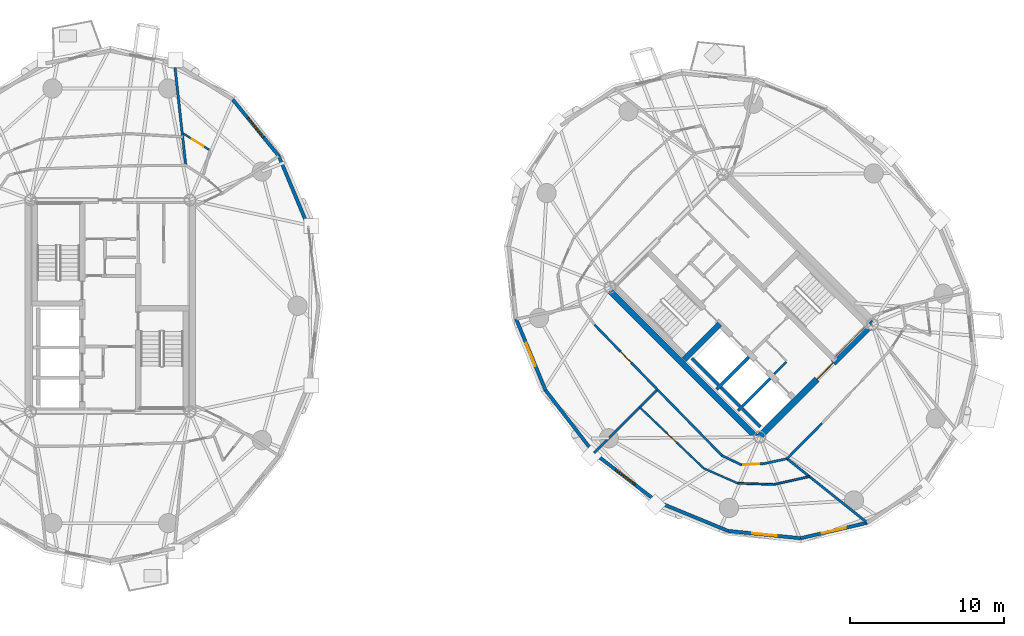
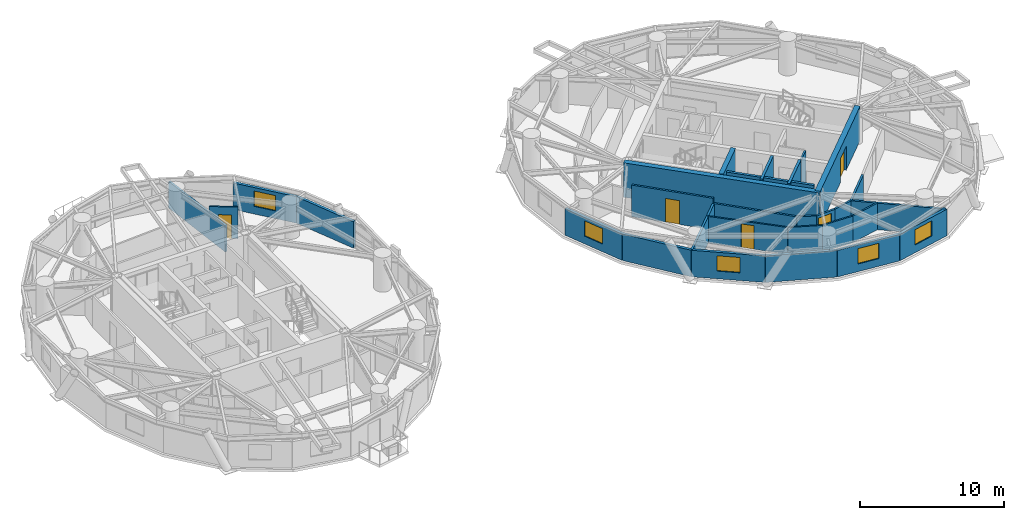
# One storey, part 12 of 18: 31 walls, 5 doors, 5 windows, 10 openings.
"""IFC4 building model written with IfcOpenShell, lengths in metres."""

from ifc_helpers import new_model, si_unit, direction, frame, frame_2d, origin, place, context, subcontext, project, spatial, rectangle, extrude, source, transform, mapped, material, layer, layer_set, type_object, element, fill, save


model = new_model("IFC4")

# Units and contexts
model_context = context("Model", 3, precision=1e-05, world=origin(), true_north=direction((0.0, 1.0)))
body_context = subcontext(model_context, "Body", "Model", "MODEL_VIEW")
ifc_project = project(units=[si_unit("LENGTHUNIT", "METRE"), si_unit("AREAUNIT", "SQUARE_METRE"), si_unit("VOLUMEUNIT", "CUBIC_METRE"), si_unit("PLANEANGLEUNIT", "RADIAN"), si_unit("MASSUNIT", "GRAM", prefix="KILO")], contexts=[model_context])

# Site, building, storey
site_placement = place(None, origin())
site = spatial("IfcSite", under=ifc_project, at=site_placement, CompositionType="ELEMENT")
building_placement = place(site_placement, origin())
building = spatial("IfcBuilding", under=site, at=building_placement, Name="Cununo Teusaquillo Station Towers", CompositionType="ELEMENT")
storey_placement = place(building_placement, frame((0.0, 0.0, 169.06005859375)))
storey = spatial("IfcBuildingStorey", under=building, at=storey_placement, Name="L53", CompositionType="ELEMENT", Elevation=169.06005859375)

# Walls
ifc_material_1 = material(Name="Concrete C50/60", Category="concrete")
ifc_layer_1 = layer(ifc_material_1, 0.199951171875)
ifc_layer_set_1 = layer_set([ifc_layer_1], Name="Concrete C50/60")
wall_type_1 = type_object("IfcWallType", Name="WL-CORE-200", PredefinedType="SHEAR", material=ifc_layer_set_1)
wall_1_placement = place(storey_placement, frame((55.8876953125, 19.0693359375, 0.0), z_axis=(0.0, 0.0, 1.0), x_axis=(0.707106781187, 0.707106781187, 0.0)))
element("IfcWall", 1, at=wall_1_placement, inside=storey, type_object=wall_type_1, Name="L53 Tower B Firefighting Lift Shaft South Shear Wall", PredefinedType="SHEAR", context=body_context, shape_type="SweptSolid", body=[
    extrude(rectangle(XDim=2.969970703125, YDim=0.199951171875, at=frame_2d((1.48486328125, 0.0))), origin(), (0.0, 0.0, 1.0), 2.909912109375),
])
wall_2_placement = place(storey_placement, frame((56.01513671875, 19.366455078125, 0.0), z_axis=(0.0, 0.0, 1.0), x_axis=(-0.707106781187, 0.707106781187, 0.0)))
element("IfcWall", 2, at=wall_2_placement, inside=storey, type_object=wall_type_1, Name="L53 Tower B Firefighting Lift Shaft Rear Shear Wall", PredefinedType="SHEAR", context=body_context, shape_type="SweptSolid", body=[
    extrude(rectangle(XDim=2.43994140625, YDim=0.199951171875, at=frame_2d((1.219970703125, 0.0))), origin(), (0.0, 0.0, 1.0), 2.909912109375),
])
wall_3_placement = place(storey_placement, frame((57.2841796875, 17.6728515625, 0.0), z_axis=(0.0, 0.0, 1.0), x_axis=(0.707147878904, 0.70706568108, 0.0)))
element("IfcWall", 3, at=wall_3_placement, inside=storey, type_object=wall_type_1, Name="L53 Tower B High-Rise Lift Hoistway Divider Shear Wall", PredefinedType="SHEAR", context=body_context, shape_type="SweptSolid", body=[
    extrude(rectangle(XDim=2.97021484375, YDim=0.199951171875, at=frame_2d((1.485107421875, 0.0))), origin(), (0.0, 0.0, 1.0), 2.909912109375),
])
wall_4_placement = place(storey_placement, frame((57.41162109375, 17.969970703125, 0.0), z_axis=(0.0, 0.0, 1.0), x_axis=(-0.707106781187, 0.707106781187, 0.0)))
element("IfcWall", 4, at=wall_4_placement, inside=storey, type_object=wall_type_1, Name="L53 Tower B High-Rise Lift 2 Shaft Rear Shear Wall", PredefinedType="SHEAR", context=body_context, shape_type="SweptSolid", body=[
    extrude(rectangle(XDim=1.73486328125, YDim=0.199951171875, at=frame_2d((0.867431640625, 0.0))), origin(), (0.0, 0.0, 1.0), 2.909912109375),
])
wall_5_placement = place(storey_placement, frame((58.7373046875, 16.64404296875, 0.0), z_axis=(0.0, 0.0, 1.0), x_axis=(-0.707032117043, 0.707181437447, 0.0)))
element("IfcWall", 5, at=wall_5_placement, inside=storey, type_object=wall_type_1, Name="L53 Tower B High-Rise Lift 1 Shaft Rear Shear Wall", PredefinedType="SHEAR", context=body_context, shape_type="SweptSolid", body=[
    extrude(rectangle(XDim=1.635009765625, YDim=0.199951171875, at=frame_2d((0.8173828125, 0.0))), origin(), (0.0, 0.0, 1.0), 2.909912109375),
])
ifc_material_2 = material(Name="Concrete C50/60", Category="concrete")
ifc_layer_2 = layer(ifc_material_2, 0.35009765625)
ifc_layer_set_2 = layer_set([ifc_layer_2], Name="Concrete C50/60")
wall_type_2 = type_object("IfcWallType", Name="WL-CORE-350", PredefinedType="SHEAR", material=ifc_layer_set_2)
wall_6_placement = place(storey_placement, frame((53.7841796875, 21.00341796875, 0.0), z_axis=(0.0, 0.0, 1.0), x_axis=(0.707106781187, 0.707106781187, 0.0)))
element("IfcWall", 6, at=wall_6_placement, inside=storey, type_object=wall_type_2, Name="L53 Tower B Core Shear Wall ST1S", PredefinedType="SHEAR", context=body_context, shape_type="SweptSolid", body=[
    extrude(rectangle(XDim=3.284912109375, YDim=0.35009765625, at=frame_2d((1.642578125, 0.0))), origin(), (0.0, 0.0, 1.0), 2.909912109375),
])
ifc_material_3 = material(Name="Concrete C50/60", Category="concrete")
ifc_layer_3 = layer(ifc_material_3, 0.39990234375)
ifc_layer_set_3 = layer_set([ifc_layer_3], Name="Concrete C50/60")
wall_type_3 = type_object("IfcWallType", Name="WL-CORE-400", PredefinedType="SHEAR", material=ifc_layer_set_3)
wall_7_placement = place(storey_placement, frame((58.7021484375, 15.73193359375, 0.0), z_axis=(0.0, 0.0, 1.0), x_axis=(-0.707106781187, 0.707106781187, 0.0)))
element("IfcWall", 7, at=wall_7_placement, inside=storey, type_object=wall_type_3, Name="L53 Tower B Core Shear Wall W", PredefinedType="SHEAR", context=body_context, shape_type="SweptSolid", body=[
    extrude(rectangle(XDim=14.10009765625, YDim=0.39990234375, at=frame_2d((7.050048828125, 0.0))), origin(), (0.0, 0.0, 1.0), 2.909912109375),
])

# Wall, opening, door
wall_8_placement = place(storey_placement, frame((58.560791015625, 15.873291015625, 0.0), z_axis=(0.0, 0.0, 1.0), x_axis=(0.707106781187, 0.707106781187, 0.0)))
wall_8 = element("IfcWall", 8, at=wall_8_placement, inside=storey, type_object=wall_type_3, Name="L53 Tower B Core Shear Wall S", PredefinedType="SHEAR", context=body_context, shape_type="SweptSolid", body=[
    extrude(rectangle(XDim=10.69970703125, YDim=0.39990234375, at=frame_2d((5.349853515625, 0.0))), origin(), (0.0, 0.0, 1.0), 2.909912109375),
])
shared_shape_1 = source(origin(), body_context, "Body", "SweptSolid", [
    extrude(rectangle(XDim=1.5, YDim=2.02001953125, at=frame_2d((0.75, 1.010009765625))), frame((0.0, 0.2099609375, 0.0), z_axis=(0.0, -1.0, 0.0), x_axis=(1.0, 0.0, 0.0)), (0.0, 0.0, 1.0), 0.419921875),
])
opening_1_placement = place(wall_8_placement, frame((5.449951171875, 0.0, 0.0)))
opening_1 = element("IfcOpeningElement", 9, at=opening_1_placement, cuts=wall_8, Name="Opening D-LB1", PredefinedType="OPENING", context=body_context, shape_type="MappedRepresentation", body=[
    mapped(shared_shape_1, transform((0.0, 0.0, 0.0), x_axis=(1.0, 0.0, 0.0), y_axis=(0.0, 1.0, 0.0), z_axis=(0.0, 0.0, 1.0), scale=1.0)),
])
ifc_material_4 = material(Name="Galvanised fire-rated hollow steel door assembly", Category="steel")
door_type_1 = type_object("IfcDoorType", Name="DR-LOBBY-1500", OperationType="DOUBLE_DOOR_SINGLE_SWING", PredefinedType="DOOR", material=ifc_material_4)
shared_shape_2 = source(origin(), body_context, "Body", "SweptSolid", [
    extrude(rectangle(XDim=1.5, YDim=2.02001953125, at=frame_2d((0.75, 1.010009765625))), frame((0.0, 0.02490234375, 0.0), z_axis=(0.0, -1.0, 0.0), x_axis=(1.0, 0.0, 0.0)), (0.0, 0.0, 1.0), 0.050048828125),
])
door_1_placement = place(opening_1_placement, origin())
door_1 = element("IfcDoor", 10, at=door_1_placement, inside=storey, type_object=door_type_1, Name="L53 Tower B South Core Lift Lobby Door", OperationType="DOUBLE_DOOR_SINGLE_SWING", OverallHeight=2.02001953125, OverallWidth=1.5, PredefinedType="DOOR", context=body_context, shape_type="MappedRepresentation", body=[
    mapped(shared_shape_2, transform((0.0, 0.0, 0.0), x_axis=(1.0, 0.0, 0.0), y_axis=(0.0, 1.0, 0.0), z_axis=(0.0, 0.0, 1.0), scale=1.0)),
])
fill(opening_1, door_1)

# Wall
ifc_material_5 = material(Name="Precast concrete C40/50", Category="concrete")
ifc_layer_4 = layer(ifc_material_5, 0.219970703125)
ifc_layer_set_4 = layer_set([ifc_layer_4], Name="Precast concrete C40/50")
wall_type_4 = type_object("IfcWallType", Name="WL-EXT-220", PredefinedType="SOLIDWALL", material=ifc_layer_set_4)
wall_9_placement = place(storey_placement, frame((27.44677734375, 34.239501953125, 0.0), z_axis=(0.0, 0.0, 1.0), x_axis=(0.384144094086, -0.923273152961, 0.0)))
element("IfcWall", 11, at=wall_9_placement, inside=storey, type_object=wall_type_4, Name="L53 Tower A Exterior Facade Wall C01", PredefinedType="SOLIDWALL", context=body_context, shape_type="SweptSolid", body=[
    extrude(rectangle(XDim=5.0029296875, YDim=0.219970703125, at=frame_2d((2.50146484375, 0.0))), origin(), (0.0, 0.0, 1.0), 2.244873046875),
])

# Wall, opening, window
wall_10_placement = place(storey_placement, frame((24.453369140625, 37.905517578125, 0.0), z_axis=(0.0, 0.0, 1.0), x_axis=(0.632470615287, -0.774584353572, 0.0)))
wall_10 = element("IfcWall", 12, at=wall_10_placement, inside=storey, type_object=wall_type_4, Name="L53 Tower A Exterior Facade Wall C02", PredefinedType="SOLIDWALL", context=body_context, shape_type="SweptSolid", body=[
    extrude(rectangle(XDim=4.73291015625, YDim=0.219970703125, at=frame_2d((2.366455078125, 0.0))), origin(), (0.0, 0.0, 1.0), 2.244873046875),
])
shared_shape_3 = source(origin(), body_context, "Body", "SweptSolid", [
    extrude(rectangle(XDim=1.60009765625, YDim=1.300048828125, at=frame_2d((0.800048828125, 0.64990234375))), frame((0.0, 0.119873046875, 0.0), z_axis=(0.0, -1.0, 0.0), x_axis=(1.0, 0.0, 0.0)), (0.0, 0.0, 1.0), 0.239990234375),
])
opening_2_placement = place(wall_10_placement, frame((1.56591796875, 0.0, 0.64990234375)))
opening_2 = element("IfcOpeningElement", 13, at=opening_2_placement, cuts=wall_10, Name="Opening WN-03", PredefinedType="OPENING", context=body_context, shape_type="MappedRepresentation", body=[
    mapped(shared_shape_3, transform((0.0, 0.0, 0.0), x_axis=(1.0, 0.0, 0.0), y_axis=(0.0, 1.0, 0.0), z_axis=(0.0, 0.0, 1.0), scale=1.0)),
])
ifc_material_6 = material(Name="Ceramic-fritted dark low-E double glazing", Category="glass")
window_type = type_object("IfcWindowType", Name="WIN-CORN-1600", PartitioningType="SINGLE_PANEL", PredefinedType="WINDOW", material=ifc_material_6)
shared_shape_4 = source(origin(), body_context, "Body", "SweptSolid", [
    extrude(rectangle(XDim=1.60009765625, YDim=1.300048828125, at=frame_2d((0.800048828125, 0.64990234375))), frame((0.0, 0.030029296875, 0.0), z_axis=(0.0, -1.0, 0.0), x_axis=(1.0, 0.0, 0.0)), (0.0, 0.0, 1.0), 0.06005859375),
])
window_1_placement = place(opening_2_placement, origin())
window_1 = element("IfcWindow", 14, at=window_1_placement, inside=storey, type_object=window_type, Name="L53 Tower A Facade Window C02", OverallHeight=1.300048828125, OverallWidth=1.60009765625, PartitioningType="SINGLE_PANEL", PredefinedType="WINDOW", context=body_context, shape_type="MappedRepresentation", body=[
    mapped(shared_shape_4, transform((0.0, 0.0, 0.0), x_axis=(1.0, 0.0, 0.0), y_axis=(0.0, 1.0, 0.0), z_axis=(0.0, 0.0, 1.0), scale=1.0)),
])
fill(opening_2, window_1)

wall_11_placement = place(storey_placement, frame((44.77978515625, 19.02099609375, 0.0), z_axis=(0.0, 0.0, 1.0), x_axis=(-0.381196434348, 0.924494066201, 0.0)))
wall_11 = element("IfcWall", 15, at=wall_11_placement, inside=storey, type_object=wall_type_4, Name="L53 Tower B Exterior Facade Wall C08", PredefinedType="SOLIDWALL", context=body_context, shape_type="SweptSolid", body=[
    extrude(rectangle(XDim=5.003173828125, YDim=0.219970703125, at=frame_2d((2.50146484375, 0.0))), origin(), (0.0, 0.0, 1.0), 2.244873046875),
])
opening_3_placement = place(wall_11_placement, frame((1.701904296875, 0.0, 0.64990234375)))
opening_3 = element("IfcOpeningElement", 16, at=opening_3_placement, cuts=wall_11, Name="Opening WN-03", PredefinedType="OPENING", context=body_context, shape_type="MappedRepresentation", body=[
    mapped(shared_shape_3, transform((0.0, 0.0, 0.0), x_axis=(1.0, 0.0, 0.0), y_axis=(0.0, 1.0, 0.0), z_axis=(0.0, 0.0, 1.0), scale=1.0)),
])
window_2_placement = place(opening_3_placement, origin())
window_2 = element("IfcWindow", 17, at=window_2_placement, inside=storey, type_object=window_type, Name="L53 Tower B Facade Window C08", OverallHeight=1.300048828125, OverallWidth=1.60009765625, PartitioningType="SINGLE_PANEL", PredefinedType="WINDOW", context=body_context, shape_type="MappedRepresentation", body=[
    mapped(shared_shape_4, transform((0.0, 0.0, 0.0), x_axis=(1.0, 0.0, 0.0), y_axis=(0.0, 1.0, 0.0), z_axis=(0.0, 0.0, 1.0), scale=1.0)),
])
fill(opening_3, window_2)

# Wall
wall_12_placement = place(storey_placement, frame((47.93212890625, 14.93212890625, 0.0), z_axis=(0.0, 0.0, 1.0), x_axis=(-0.610569654715, 0.791962560189, 0.0)))
element("IfcWall", 18, at=wall_12_placement, inside=storey, type_object=wall_type_4, Name="L53 Tower B Exterior Facade Wall C09", PredefinedType="SOLIDWALL", context=body_context, shape_type="SweptSolid", body=[
    extrude(rectangle(XDim=5.162841796875, YDim=0.219970703125, at=frame_2d((2.58154296875, 0.0))), origin(), (0.0, 0.0, 1.0), 2.244873046875),
])

# Wall, opening, window
wall_13_placement = place(storey_placement, frame((52.02099609375, 11.77978515625, 0.0), z_axis=(0.0, 0.0, 1.0), x_axis=(-0.791962560189, 0.610569654715, 0.0)))
wall_13 = element("IfcWall", 19, at=wall_13_placement, inside=storey, type_object=wall_type_4, Name="L53 Tower B Exterior Facade Wall C10", PredefinedType="SOLIDWALL", context=body_context, shape_type="SweptSolid", body=[
    extrude(rectangle(XDim=5.162841796875, YDim=0.219970703125, at=frame_2d((2.58154296875, 0.0))), origin(), (0.0, 0.0, 1.0), 2.244873046875),
])
opening_4_placement = place(wall_13_placement, frame((1.781982421875, 0.0, 0.64990234375)))
opening_4 = element("IfcOpeningElement", 20, at=opening_4_placement, cuts=wall_13, Name="Opening WN-03", PredefinedType="OPENING", context=body_context, shape_type="MappedRepresentation", body=[
    mapped(shared_shape_3, transform((0.0, 0.0, 0.0), x_axis=(1.0, 0.0, 0.0), y_axis=(0.0, 1.0, 0.0), z_axis=(0.0, 0.0, 1.0), scale=1.0)),
])
window_3_placement = place(opening_4_placement, origin())
window_3 = element("IfcWindow", 21, at=window_3_placement, inside=storey, type_object=window_type, Name="L53 Tower B Facade Window C10", OverallHeight=1.300048828125, OverallWidth=1.60009765625, PartitioningType="SINGLE_PANEL", PredefinedType="WINDOW", context=body_context, shape_type="MappedRepresentation", body=[
    mapped(shared_shape_4, transform((0.0, 0.0, 0.0), x_axis=(1.0, 0.0, 0.0), y_axis=(0.0, 1.0, 0.0), z_axis=(0.0, 0.0, 1.0), scale=1.0)),
])
fill(opening_4, window_3)

# Wall
wall_14_placement = place(storey_placement, frame((56.646484375, 9.87255859375, 0.0), z_axis=(0.0, 0.0, 1.0), x_axis=(-0.924494066201, 0.381196434348, 0.0)))
element("IfcWall", 22, at=wall_14_placement, inside=storey, type_object=wall_type_4, Name="L53 Tower B Exterior Facade Wall C11", PredefinedType="SOLIDWALL", context=body_context, shape_type="SweptSolid", body=[
    extrude(rectangle(XDim=5.003173828125, YDim=0.219970703125, at=frame_2d((2.50146484375, 0.0))), origin(), (0.0, 0.0, 1.0), 2.244873046875),
])

# Wall, opening, window
wall_15_placement = place(storey_placement, frame((61.355224609375, 9.397216796875, 0.0), z_axis=(0.0, 0.0, 1.0), x_axis=(-0.994943283129, 0.100438356004, 0.0)))
wall_15 = element("IfcWall", 23, at=wall_15_placement, inside=storey, type_object=wall_type_4, Name="L53 Tower B Exterior Facade Wall C12", PredefinedType="SOLIDWALL", context=body_context, shape_type="SweptSolid", body=[
    extrude(rectangle(XDim=4.732666015625, YDim=0.219970703125, at=frame_2d((2.3662109375, 0.0))), origin(), (0.0, 0.0, 1.0), 2.244873046875),
])
opening_5_placement = place(wall_15_placement, frame((1.56591796875, 0.0, 0.64990234375)))
opening_5 = element("IfcOpeningElement", 24, at=opening_5_placement, cuts=wall_15, Name="Opening WN-03", PredefinedType="OPENING", context=body_context, shape_type="MappedRepresentation", body=[
    mapped(shared_shape_3, transform((0.0, 0.0, 0.0), x_axis=(1.0, 0.0, 0.0), y_axis=(0.0, 1.0, 0.0), z_axis=(0.0, 0.0, 1.0), scale=1.0)),
])
window_4_placement = place(opening_5_placement, origin())
window_4 = element("IfcWindow", 25, at=window_4_placement, inside=storey, type_object=window_type, Name="L53 Tower B Facade Window C12", OverallHeight=1.300048828125, OverallWidth=1.60009765625, PartitioningType="SINGLE_PANEL", PredefinedType="WINDOW", context=body_context, shape_type="MappedRepresentation", body=[
    mapped(shared_shape_4, transform((0.0, 0.0, 0.0), x_axis=(1.0, 0.0, 0.0), y_axis=(0.0, 1.0, 0.0), z_axis=(0.0, 0.0, 1.0), scale=1.0)),
])
fill(opening_5, window_4)

wall_16_placement = place(storey_placement, frame((65.686767578125, 10.400146484375, 0.0), z_axis=(0.0, 0.0, 1.0), x_axis=(-0.97422620202, -0.22557328587, 0.0)))
wall_16 = element("IfcWall", 26, at=wall_16_placement, inside=storey, type_object=wall_type_4, Name="L53 Tower B Exterior Facade Wall C13", PredefinedType="SOLIDWALL", context=body_context, shape_type="SweptSolid", body=[
    extrude(rectangle(XDim=4.446044921875, YDim=0.219970703125, at=frame_2d((2.22314453125, 0.0))), origin(), (0.0, 0.0, 1.0), 2.244873046875),
])
opening_6_placement = place(wall_16_placement, frame((1.423095703125, 0.0, 0.64990234375)))
opening_6 = element("IfcOpeningElement", 27, at=opening_6_placement, cuts=wall_16, Name="Opening WN-03", PredefinedType="OPENING", context=body_context, shape_type="MappedRepresentation", body=[
    mapped(shared_shape_3, transform((0.0, 0.0, 0.0), x_axis=(1.0, 0.0, 0.0), y_axis=(0.0, 1.0, 0.0), z_axis=(0.0, 0.0, 1.0), scale=1.0)),
])
window_5_placement = place(opening_6_placement, origin())
window_5 = element("IfcWindow", 28, at=window_5_placement, inside=storey, type_object=window_type, Name="L53 Tower B Facade Window C13", OverallHeight=1.300048828125, OverallWidth=1.60009765625, PartitioningType="SINGLE_PANEL", PredefinedType="WINDOW", context=body_context, shape_type="MappedRepresentation", body=[
    mapped(shared_shape_4, transform((0.0, 0.0, 0.0), x_axis=(1.0, 0.0, 0.0), y_axis=(0.0, 1.0, 0.0), z_axis=(0.0, 0.0, 1.0), scale=1.0)),
])
fill(opening_6, window_5)

# Wall, opening, door
ifc_material_7 = material(Name="Fire-rated gypsum plasterboard partition assembly", Category="gypsum")
ifc_layer_5 = layer(ifc_material_7, 0.125)
ifc_layer_set_5 = layer_set([ifc_layer_5], Name="Fire-rated gypsum plasterboard partition assembly")
wall_type_5 = type_object("IfcWallType", Name="WL-PART-125", PredefinedType="PARTITIONING", material=ifc_layer_set_5)
wall_17_placement = place(storey_placement, frame((22.922119140625, 34.639892578125, 0.0), z_axis=(0.0, 0.0, 1.0), x_axis=(-0.846020986113, 0.533149595382, 0.0)))
wall_17 = element("IfcWall", 29, at=wall_17_placement, inside=storey, type_object=wall_type_5, Name="L53 Tower A S01 En-suite Back Wall", PredefinedType="PARTITIONING", context=body_context, shape_type="SweptSolid", body=[
    extrude(rectangle(XDim=1.98291015625, YDim=0.125, at=frame_2d((0.991455078125, 0.0))), origin(), (0.0, 0.0, 1.0), 2.675048828125),
])
shared_shape_5 = source(origin(), body_context, "Body", "SweptSolid", [
    extrude(rectangle(XDim=0.89990234375, YDim=2.0048828125, at=frame_2d((0.449951171875, 1.00244140625))), frame((0.0, 0.072509765625, 0.0), z_axis=(0.0, -1.0, 0.0), x_axis=(1.0, 0.0, 0.0)), (0.0, 0.0, 1.0), 0.14501953125),
])
opening_7_placement = place(wall_17_placement, frame((0.43603515625, 0.0, 0.0)))
opening_7 = element("IfcOpeningElement", 30, at=opening_7_placement, cuts=wall_17, Name="Opening D-IN1", PredefinedType="OPENING", context=body_context, shape_type="MappedRepresentation", body=[
    mapped(shared_shape_5, transform((0.0, 0.0, 0.0), x_axis=(1.0, 0.0, 0.0), y_axis=(0.0, 1.0, 0.0), z_axis=(0.0, 0.0, 1.0), scale=1.0)),
])
ifc_material_8 = material(Name="Acoustic solid-core hardwood leaf assembly", Category="wood")
door_type_2 = type_object("IfcDoorType", Name="DR-INT-900", OperationType="NOTDEFINED", PredefinedType="DOOR", material=ifc_material_8)
shared_shape_6 = source(origin(), body_context, "Body", "SweptSolid", [
    extrude(rectangle(XDim=0.89990234375, YDim=2.0048828125, at=frame_2d((0.449951171875, 1.00244140625))), frame((0.0, 0.02490234375, 0.0), z_axis=(0.0, -1.0, 0.0), x_axis=(1.0, 0.0, 0.0)), (0.0, 0.0, 1.0), 0.050048828125),
])
door_2_placement = place(opening_7_placement, origin())
door_2 = element("IfcDoor", 31, at=door_2_placement, inside=storey, type_object=door_type_2, Name="L53 Tower A S01 En-suite Bathroom Door", OperationType="SINGLE_SWING_RIGHT", OverallHeight=2.0048828125, OverallWidth=0.89990234375, PredefinedType="DOOR", context=body_context, shape_type="MappedRepresentation", body=[
    mapped(shared_shape_6, transform((0.0, 0.0, 0.0), x_axis=(1.0, 0.0, 0.0), y_axis=(0.0, 1.0, 0.0), z_axis=(0.0, 0.0, 1.0), scale=1.0)),
])
fill(opening_7, door_2)

# Wall
wall_18_placement = place(storey_placement, frame((59.642578125, 20.06640625, 0.0), z_axis=(0.0, 0.0, 1.0), x_axis=(0.707106781187, 0.707106781187, 0.0)))
element("IfcWall", 32, at=wall_18_placement, inside=storey, type_object=wall_type_5, Name="L53 Tower B North-West Lobby Store South Wall", PredefinedType="PARTITIONING", context=body_context, shape_type="SweptSolid", body=[
    extrude(rectangle(XDim=1.10009765625, YDim=0.125, at=frame_2d((0.550048828125, 0.0))), origin(), (0.0, 0.0, 1.0), 2.675048828125),
])

# Wall, opening, door
wall_19_placement = place(storey_placement, frame((50.90478515625, 17.90478515625, 0.0), z_axis=(0.0, 0.0, 1.0), x_axis=(0.723816902075, -0.689992095803, 0.0)))
wall_19 = element("IfcWall", 33, at=wall_19_placement, inside=storey, type_object=wall_type_5, Name="L53 Tower B Grand Cordillera Club Salon Concentric Partition Wall C10", PredefinedType="PARTITIONING", context=body_context, shape_type="SweptSolid", body=[
    extrude(rectangle(XDim=5.752685546875, YDim=0.125, at=frame_2d((2.87646484375, 0.0))), origin(), (0.0, 0.0, 1.0), 2.244873046875),
])
opening_8_placement = place(wall_19_placement, frame((2.42626953125, 0.0, 0.0)))
opening_8 = element("IfcOpeningElement", 34, at=opening_8_placement, cuts=wall_19, Name="Opening D-IN1", PredefinedType="OPENING", context=body_context, shape_type="MappedRepresentation", body=[
    mapped(shared_shape_5, transform((0.0, 0.0, 0.0), x_axis=(1.0, 0.0, 0.0), y_axis=(0.0, 1.0, 0.0), z_axis=(0.0, 0.0, 1.0), scale=1.0)),
])
door_3_placement = place(opening_8_placement, origin())
door_3 = element("IfcDoor", 35, at=door_3_placement, inside=storey, type_object=door_type_2, Name="L53 Tower B Grand Cordillera Club Salon Connecting Door", OperationType="SINGLE_SWING_RIGHT", OverallHeight=2.0048828125, OverallWidth=0.89990234375, PredefinedType="DOOR", context=body_context, shape_type="MappedRepresentation", body=[
    mapped(shared_shape_6, transform((0.0, 0.0, 0.0), x_axis=(1.0, 0.0, 0.0), y_axis=(0.0, 1.0, 0.0), z_axis=(0.0, 0.0, 1.0), scale=1.0)),
])
fill(opening_8, door_3)

# Walls
wall_20_placement = place(storey_placement, frame((55.068603515625, 13.935546875, 0.0), z_axis=(0.0, 0.0, 1.0), x_axis=(0.915625735972, -0.402031729626, 0.0)))
element("IfcWall", 36, at=wall_20_placement, inside=storey, type_object=wall_type_5, Name="L53 Tower B Grand Cordillera Club Salon Concentric Partition Wall C11", PredefinedType="PARTITIONING", context=body_context, shape_type="SweptSolid", body=[
    extrude(rectangle(XDim=2.396240234375, YDim=0.125, at=frame_2d((1.1982421875, 0.0))), origin(), (0.0, 0.0, 1.0), 2.244873046875),
])
wall_21_placement = place(storey_placement, frame((57.2626953125, 12.97216796875, 0.0), z_axis=(0.0, 0.0, 1.0), x_axis=(0.999399614086, -0.034646953192, 0.0)))
element("IfcWall", 37, at=wall_21_placement, inside=storey, type_object=wall_type_5, Name="L53 Tower B Grand Cordillera Club Salon Concentric Partition Wall C12", PredefinedType="PARTITIONING", context=body_context, shape_type="SweptSolid", body=[
    extrude(rectangle(XDim=2.36767578125, YDim=0.125, at=frame_2d((1.183837890625, 0.0))), origin(), (0.0, 0.0, 1.0), 2.244873046875),
])
wall_22_placement = place(storey_placement, frame((59.62890625, 12.89013671875, 0.0), z_axis=(0.0, 0.0, 1.0), x_axis=(0.97566344203, 0.219273454585, 0.0)))
element("IfcWall", 38, at=wall_22_placement, inside=storey, type_object=wall_type_5, Name="L53 Tower B Grand Cordillera Club Salon Concentric Partition Wall C13", PredefinedType="PARTITIONING", context=body_context, shape_type="SweptSolid", body=[
    extrude(rectangle(XDim=2.3603515625, YDim=0.125, at=frame_2d((1.18017578125, 0.0))), origin(), (0.0, 0.0, 1.0), 2.244873046875),
])

# Wall, opening, door
ifc_material_9 = material(Name="Fire-rated gypsum plasterboard partition assembly", Category="gypsum")
ifc_layer_6 = layer(ifc_material_9, 0.14990234375)
ifc_layer_set_6 = layer_set([ifc_layer_6], Name="Fire-rated gypsum plasterboard partition assembly")
wall_type_6 = type_object("IfcWallType", Name="WL-PART-150", PredefinedType="PARTITIONING", material=ifc_layer_set_6)
wall_23_placement = place(storey_placement, frame((47.958984375, 23.276611328125, 0.0), z_axis=(0.0, 0.0, 1.0), x_axis=(0.696422573496, -0.717631938479, 0.0)))
wall_23 = element("IfcWall", 39, at=wall_23_placement, inside=storey, type_object=wall_type_6, Name="L53 Tower B Corridor Ring Wall C09", PredefinedType="PARTITIONING", context=body_context, shape_type="SweptSolid", body=[
    extrude(rectangle(XDim=5.882080078125, YDim=0.14990234375, at=frame_2d((2.94091796875, 0.0))), origin(), (0.0, 0.0, 1.0), 2.675048828125),
])
shared_shape_7 = source(origin(), body_context, "Body", "SweptSolid", [
    extrude(rectangle(XDim=1.0, YDim=2.014892578125, at=frame_2d((0.5, 1.00732421875))), frame((0.0, 0.0849609375, 0.0), z_axis=(0.0, -1.0, 0.0), x_axis=(1.0, 0.0, 0.0)), (0.0, 0.0, 1.0), 0.169921875),
])
opening_9_placement = place(wall_23_placement, frame((2.44091796875, 0.0, 0.0)))
opening_9 = element("IfcOpeningElement", 40, at=opening_9_placement, cuts=wall_23, Name="Opening D-AC1", PredefinedType="OPENING", context=body_context, shape_type="MappedRepresentation", body=[
    mapped(shared_shape_7, transform((0.0, 0.0, 0.0), x_axis=(1.0, 0.0, 0.0), y_axis=(0.0, 1.0, 0.0), z_axis=(0.0, 0.0, 1.0), scale=1.0)),
])
ifc_material_10 = material(Name="Acoustic solid-core hardwood leaf assembly", Category="wood")
door_type_3 = type_object("IfcDoorType", Name="DR-ACC-1000", OperationType="NOTDEFINED", PredefinedType="DOOR", material=ifc_material_10)
shared_shape_8 = source(origin(), body_context, "Body", "SweptSolid", [
    extrude(rectangle(XDim=1.0, YDim=2.014892578125, at=frame_2d((0.5, 1.00732421875))), frame((0.0, 0.02490234375, 0.0), z_axis=(0.0, -1.0, 0.0), x_axis=(1.0, 0.0, 0.0)), (0.0, 0.0, 1.0), 0.050048828125),
])
door_4_placement = place(opening_9_placement, origin())
door_4 = element("IfcDoor", 41, at=door_4_placement, inside=storey, type_object=door_type_3, Name="L53 Tower B Public Accessible Restroom WC Entrance Door", OperationType="SINGLE_SWING_RIGHT", OverallHeight=2.014892578125, OverallWidth=1.0, PredefinedType="DOOR", context=body_context, shape_type="MappedRepresentation", body=[
    mapped(shared_shape_8, transform((0.0, 0.0, 0.0), x_axis=(1.0, 0.0, 0.0), y_axis=(0.0, 1.0, 0.0), z_axis=(0.0, 0.0, 1.0), scale=1.0)),
])
fill(opening_9, door_4)

# Walls
wall_24_placement = place(storey_placement, frame((52.055419921875, 19.055419921875, 0.0), z_axis=(0.0, 0.0, 1.0), x_axis=(0.699249850691, -0.714877364524, 0.0)))
element("IfcWall", 42, at=wall_24_placement, inside=storey, type_object=wall_type_6, Name="L53 Tower B Corridor Ring Wall C10", PredefinedType="PARTITIONING", context=body_context, shape_type="SweptSolid", body=[
    extrude(rectangle(XDim=5.9990234375, YDim=0.14990234375, at=frame_2d((2.99951171875, 0.0))), origin(), (0.0, 0.0, 1.0), 2.244873046875),
])
wall_25_placement = place(storey_placement, frame((56.250244140625, 14.766845703125, 0.0), z_axis=(0.0, 0.0, 1.0), x_axis=(0.902518380752, -0.430651335078, 0.0)))
element("IfcWall", 43, at=wall_25_placement, inside=storey, type_object=wall_type_6, Name="L53 Tower B Corridor Ring Wall C11", PredefinedType="PARTITIONING", context=body_context, shape_type="SweptSolid", body=[
    extrude(rectangle(XDim=1.385986328125, YDim=0.14990234375, at=frame_2d((0.69287109375, 0.0))), origin(), (0.0, 0.0, 1.0), 2.244873046875),
])

# Wall, opening, door
wall_26_placement = place(storey_placement, frame((57.501220703125, 14.169921875, 0.0), z_axis=(0.0, 0.0, 1.0), x_axis=(0.998814137693, 0.048685915254, 0.0)))
wall_26 = element("IfcWall", 44, at=wall_26_placement, inside=storey, type_object=wall_type_6, Name="L53 Tower B Corridor Ring Wall C12", PredefinedType="PARTITIONING", context=body_context, shape_type="SweptSolid", body=[
    extrude(rectangle(XDim=1.459228515625, YDim=0.14990234375, at=frame_2d((0.7294921875, 0.0))), origin(), (0.0, 0.0, 1.0), 2.244873046875),
])
shared_shape_9 = source(origin(), body_context, "Body", "SweptSolid", [
    extrude(rectangle(XDim=1.050048828125, YDim=2.014892578125, at=frame_2d((0.52490234375, 1.00732421875))), frame((0.0, 0.0849609375, 0.0), z_axis=(0.0, -1.0, 0.0), x_axis=(1.0, 0.0, 0.0)), (0.0, 0.0, 1.0), 0.169921875),
])
opening_10_placement = place(wall_26_placement, frame((0.1201171875, 0.0, 0.0)))
opening_10 = element("IfcOpeningElement", 45, at=opening_10_placement, cuts=wall_26, Name="Opening D-SU1", PredefinedType="OPENING", context=body_context, shape_type="MappedRepresentation", body=[
    mapped(shared_shape_9, transform((0.0, 0.0, 0.0), x_axis=(1.0, 0.0, 0.0), y_axis=(0.0, 1.0, 0.0), z_axis=(0.0, 0.0, 1.0), scale=1.0)),
])
ifc_material_11 = material(Name="Acoustic solid-core hardwood leaf assembly", Category="wood")
door_type_4 = type_object("IfcDoorType", Name="DR-SUITE-1050", OperationType="NOTDEFINED", PredefinedType="DOOR", material=ifc_material_11)
shared_shape_10 = source(origin(), body_context, "Body", "SweptSolid", [
    extrude(rectangle(XDim=1.050048828125, YDim=2.014892578125, at=frame_2d((0.52490234375, 1.00732421875))), frame((0.0, 0.02490234375, 0.0), z_axis=(0.0, -1.0, 0.0), x_axis=(1.0, 0.0, 0.0)), (0.0, 0.0, 1.0), 0.050048828125),
])
door_5_placement = place(opening_10_placement, origin())
door_5 = element("IfcDoor", 46, at=door_5_placement, inside=storey, type_object=door_type_4, Name="L53 Tower B Grand Cordillera Club Salon Entrance Door", OperationType="SINGLE_SWING_LEFT", OverallHeight=2.014892578125, OverallWidth=1.050048828125, PredefinedType="DOOR", context=body_context, shape_type="MappedRepresentation", body=[
    mapped(shared_shape_10, transform((0.0, 0.0, 0.0), x_axis=(1.0, 0.0, 0.0), y_axis=(0.0, 1.0, 0.0), z_axis=(0.0, 0.0, 1.0), scale=1.0)),
])
fill(opening_10, door_5)

# Walls
wall_27_placement = place(storey_placement, frame((58.958740234375, 14.240966796875, 0.0), z_axis=(0.0, 0.0, 1.0), x_axis=(0.977216106897, 0.212246744196, 0.0)))
element("IfcWall", 47, at=wall_27_placement, inside=storey, type_object=wall_type_6, Name="L53 Tower B Corridor Ring Wall C13", PredefinedType="PARTITIONING", context=body_context, shape_type="SweptSolid", body=[
    extrude(rectangle(XDim=1.5517578125, YDim=0.14990234375, at=frame_2d((0.77587890625, 0.0))), origin(), (0.0, 0.0, 1.0), 2.244873046875),
])
wall_28_placement = place(storey_placement, frame((60.47509765625, 14.5703125, 0.0), z_axis=(0.0, 0.0, 1.0), x_axis=(0.703709284374, 0.710488031628, 0.0)))
element("IfcWall", 48, at=wall_28_placement, inside=storey, type_object=wall_type_6, Name="L53 Tower B Corridor Ring Wall C14", PredefinedType="PARTITIONING", context=body_context, shape_type="SweptSolid", body=[
    extrude(rectangle(XDim=3.241455078125, YDim=0.14990234375, at=frame_2d((1.62060546875, 0.0))), origin(), (0.0, 0.0, 1.0), 2.244873046875),
])
ifc_material_12 = material(Name="Fire-rated gypsum plasterboard partition assembly", Category="gypsum")
ifc_layer_7 = layer(ifc_material_12, 0.159912109375)
ifc_layer_set_7 = layer_set([ifc_layer_7], Name="Fire-rated gypsum plasterboard partition assembly")
wall_type_7 = type_object("IfcWallType", Name="WL-PART-160", PredefinedType="PARTITIONING", material=ifc_layer_set_7)
wall_29_placement = place(storey_placement, frame((21.404541015625, 33.627197265625, 0.0), z_axis=(0.0, 0.0, 1.0), x_axis=(-0.109650118052, 0.993970246844, 0.0)))
element("IfcWall", 49, at=wall_29_placement, inside=storey, type_object=wall_type_7, Name="L53 Tower A Radial Suite Partition R02", PredefinedType="PARTITIONING", context=body_context, shape_type="SweptSolid", body=[
    extrude(rectangle(XDim=6.65283203125, YDim=0.159912109375, at=frame_2d((3.326416015625, 0.0))), origin(), (0.0, 0.0, 1.0), 2.244873046875),
])
wall_30_placement = place(storey_placement, frame((52.055419921875, 19.055419921875, 0.0), z_axis=(0.0, 0.0, 1.0), x_axis=(-0.707106781187, -0.707106781187, 0.0)))
element("IfcWall", 50, at=wall_30_placement, inside=storey, type_object=wall_type_7, Name="L53 Tower B Radial Suite Partition R04", PredefinedType="PARTITIONING", context=body_context, shape_type="SweptSolid", body=[
    extrude(rectangle(XDim=5.811279296875, YDim=0.159912109375, at=frame_2d((2.90576171875, 0.0))), origin(), (0.0, 0.0, 1.0), 2.244873046875),
])
wall_31_placement = place(storey_placement, frame((60.47509765625, 14.5703125, 0.0), z_axis=(0.0, 0.0, 1.0), x_axis=(0.78156967059, -0.623817962241, 0.0)))
element("IfcWall", 51, at=wall_31_placement, inside=storey, type_object=wall_type_7, Name="L53 Tower B Radial Suite Partition R05", PredefinedType="PARTITIONING", context=body_context, shape_type="SweptSolid", body=[
    extrude(rectangle(XDim=6.65625, YDim=0.159912109375, at=frame_2d((3.328125, 0.0))), origin(), (0.0, 0.0, 1.0), 2.244873046875),
])

save(model, "model.ifc")
